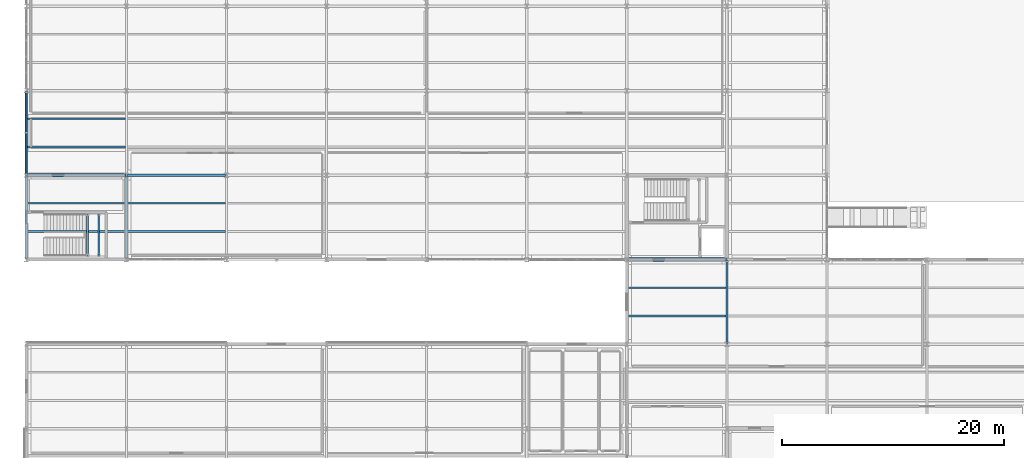
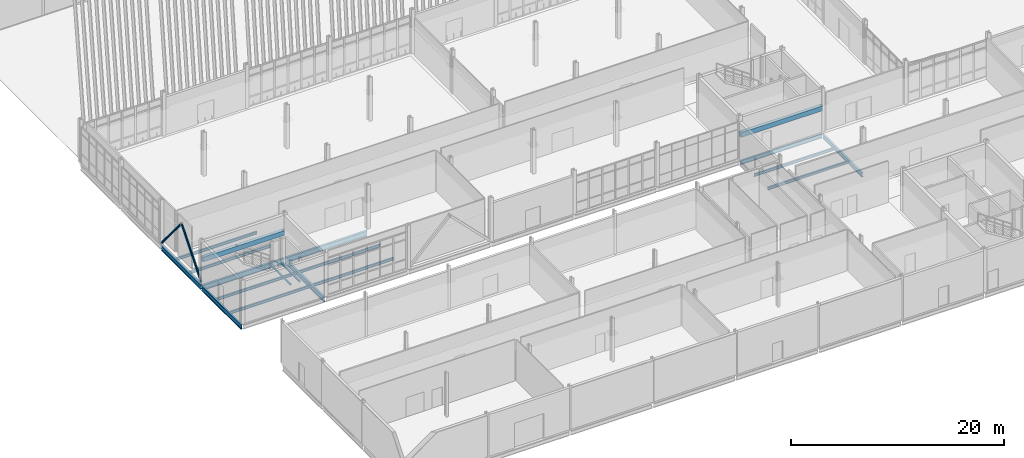
# One storey, part 39 of 161: 19 beams, 2 members.
"""IFC4 building model written with IfcOpenShell, lengths in metres."""

from ifc_helpers import new_model, si_unit, direction, frame, origin, origin_2d, place, context, subcontext, project, spatial, rectangle, hollow_circle, i_section, extrude, material, material_profile, profile_set, type_object, element, save


model = new_model("IFC4")

# Units and contexts
model_context = context("Model", 3, precision=1e-05, world=origin(), true_north=direction((0.0, 1.0)))
body_context = subcontext(model_context, "Body", "Model", "MODEL_VIEW")
ifc_project = project(units=[si_unit("LENGTHUNIT", "METRE"), si_unit("AREAUNIT", "SQUARE_METRE"), si_unit("VOLUMEUNIT", "CUBIC_METRE"), si_unit("PLANEANGLEUNIT", "RADIAN"), si_unit("MASSUNIT", "GRAM", prefix="KILO")], contexts=[model_context])

# Site, building, storey
site_placement = place(None, origin())
site = spatial("IfcSite", under=ifc_project, at=site_placement, CompositionType="ELEMENT")
building_placement = place(site_placement, origin())
building = spatial("IfcBuilding", under=site, at=building_placement, Name="Caisbarro Railhouse Central Library", CompositionType="ELEMENT")
storey_placement = place(building_placement, origin())
storey = spatial("IfcBuildingStorey", under=building, at=storey_placement, Name="L00", CompositionType="ELEMENT", Elevation=0.0)

# Beams
ifc_material_1 = material(Name="Steel ASTM A572 Grade 50", Category="steel")
ifc_material_profile_1 = material_profile(ifc_material_1, i_section(OverallWidth=0.22802734375, OverallDepth=0.60791015625, WebThickness=0.01123046875, FlangeThickness=0.017333984375, FilletRadius=0.02197265625, at=origin_2d()), Name="W610X113.0")
ifc_profile_set_1 = profile_set([ifc_material_profile_1], Name="Steel ASTM A572 Grade 50")
beam_type_1 = type_object("IfcBeamType", Name="BM-G04", PredefinedType="BEAM", material=ifc_profile_set_1)
for number, where, z_axis, x_axis, name in (
    (1, (0.080078125, 38.0, -0.553955078125), (1.0, 0.0, 0.0), (0.0, 1.0, 0.0), "G04 beam L00 #251"),
    (2, (9.080078125, 38.0, -0.553955078125), (1.0, 0.0, 0.0), (0.0, 1.0, 0.0), "G04 beam L00 #252"),
):
    element("IfcBeam", number, at=place(storey_placement, frame(where, z_axis=z_axis, x_axis=x_axis)), inside=storey, type_object=beam_type_1, Name=name, PredefinedType="BEAM", context=body_context, shape_type="SweptSolid", body=[
        extrude(i_section(OverallWidth=0.22802734375, OverallDepth=0.60791015625, WebThickness=0.01123046875, FlangeThickness=0.017333984375, FilletRadius=0.02197265625, at=origin_2d()), origin(), (0.0, 0.0, 1.0), 8.83984375),
    ])
ifc_material_profile_2 = material_profile(ifc_material_1, i_section(OverallWidth=0.208984375, OverallDepth=0.532958984375, WebThickness=0.01025390625, FlangeThickness=0.015625, FilletRadius=0.02001953125, at=origin_2d()), Name="W530X92.0")
ifc_profile_set_2 = profile_set([ifc_material_profile_2], Name="Steel ASTM A572 Grade 50")
beam_type_2 = type_object("IfcBeamType", Name="BM-G06", PredefinedType="BEAM", material=ifc_profile_set_2)
for number, where, z_axis, x_axis, name in (
    (3, (0.0, 30.47998046875, -0.5166015625), (0.0, 1.0, 0.0), (-1.0, 0.0, 0.0), "G06 beam L00 #283"),
    (4, (0.0, 38.080078125, -0.5166015625), (0.0, 1.0, 0.0), (-1.0, 0.0, 0.0), "G06 beam L00 #284"),
    (5, (9.0, 30.47998046875, -0.5166015625), (0.0, 1.0, 0.0), (-1.0, 0.0, 0.0), "G06 beam L00 #287"),
):
    element("IfcBeam", number, at=place(storey_placement, frame(where, z_axis=z_axis, x_axis=x_axis)), inside=storey, type_object=beam_type_2, Name=name, PredefinedType="BEAM", context=body_context, shape_type="SweptSolid", body=[
        extrude(i_section(OverallWidth=0.208984375, OverallDepth=0.532958984375, WebThickness=0.01025390625, FlangeThickness=0.015625, FilletRadius=0.02001953125, at=origin_2d()), origin(), (0.0, 0.0, 1.0), 7.43994140625),
    ])
ifc_material_profile_3 = material_profile(ifc_material_1, i_section(OverallWidth=0.194091796875, OverallDepth=0.468994140625, WebThickness=0.0126953125, FlangeThickness=0.0205078125, FilletRadius=0.01806640625, at=origin_2d()), Name="W460X106.0")
ifc_profile_set_3 = profile_set([ifc_material_profile_3], Name="Steel ASTM A572 Grade 50")
beam_type_3 = type_object("IfcBeamType", Name="BM-G07", PredefinedType="BEAM", material=ifc_profile_set_3)
beam_1_placement = place(storey_placement, frame((63.0, 22.8798828125, -0.514404296875), z_axis=(0.0, 1.0, 0.0), x_axis=(-1.0, 0.0, 0.0)))
element("IfcBeam", 6, at=beam_1_placement, inside=storey, type_object=beam_type_3, Name="G07 beam L00 #184", PredefinedType="BEAM", context=body_context, shape_type="SweptSolid", body=[
    extrude(i_section(OverallWidth=0.194091796875, OverallDepth=0.468994140625, WebThickness=0.0126953125, FlangeThickness=0.0205078125, FilletRadius=0.01806640625, at=origin_2d()), origin(), (0.0, 0.0, 1.0), 7.440185546875),
])
ifc_material_profile_4 = material_profile(ifc_material_1, i_section(OverallWidth=0.1669921875, OverallDepth=0.31689453125, WebThickness=0.007568359375, FlangeThickness=0.01318359375, FilletRadius=0.011962890625, at=origin_2d()), Name="W310X52.0")
ifc_profile_set_4 = profile_set([ifc_material_profile_4], Name="Steel ASTM A572 Grade 50")
beam_type_4 = type_object("IfcBeamType", Name="BM-J02", PredefinedType="JOIST", material=ifc_profile_set_4)
for number, where, z_axis, x_axis, name in (
    (7, (54.096923828125, 25.333251953125, -0.4384765625), (1.0, 0.0, 0.0), (0.0, 1.0, 0.0), "J02 beam L00 #211"),
    (8, (54.096923828125, 27.86669921875, -0.4384765625), (1.0, 0.0, 0.0), (0.0, 1.0, 0.0), "J02 beam L00 #212"),
):
    element("IfcBeam", number, at=place(storey_placement, frame(where, z_axis=z_axis, x_axis=x_axis)), inside=storey, type_object=beam_type_4, Name=name, PredefinedType="JOIST", context=body_context, shape_type="SweptSolid", body=[
        extrude(i_section(OverallWidth=0.1669921875, OverallDepth=0.31689453125, WebThickness=0.007568359375, FlangeThickness=0.01318359375, FilletRadius=0.011962890625, at=origin_2d()), origin(), (0.0, 0.0, 1.0), 8.80615234375),
    ])
ifc_material_profile_5 = material_profile(ifc_material_1, i_section(OverallWidth=0.1650390625, OverallDepth=0.31005859375, WebThickness=0.005859375, FlangeThickness=0.009765625, FilletRadius=0.011962890625, at=origin_2d()), Name="W310X38.7")
ifc_profile_set_5 = profile_set([ifc_material_profile_5], Name="Steel ASTM A572 Grade 50")
beam_type_5 = type_object("IfcBeamType", Name="BM-J03", PredefinedType="JOIST", material=ifc_profile_set_5)
for number, where, z_axis, x_axis, name in (
    (9, (0.1044921875, 32.933349609375, -0.405029296875), (1.0, 0.0, 0.0), (0.0, 1.0, 0.0), "J03 beam L00 #319"),
    (10, (0.1044921875, 35.466796875, -0.405029296875), (1.0, 0.0, 0.0), (0.0, 1.0, 0.0), "J03 beam L00 #320"),
    (11, (0.1044921875, 40.533203125, -0.405029296875), (1.0, 0.0, 0.0), (0.0, 1.0, 0.0), "J03 beam L00 #321"),
    (12, (0.1044921875, 43.066650390625, -0.405029296875), (1.0, 0.0, 0.0), (0.0, 1.0, 0.0), "J03 beam L00 #322"),
    (13, (9.1044921875, 32.933349609375, -0.405029296875), (1.0, 0.0, 0.0), (0.0, 1.0, 0.0), "J03 beam L00 #327"),
    (14, (9.1044921875, 35.466796875, -0.405029296875), (1.0, 0.0, 0.0), (0.0, 1.0, 0.0), "J03 beam L00 #328"),
):
    element("IfcBeam", number, at=place(storey_placement, frame(where, z_axis=z_axis, x_axis=x_axis)), inside=storey, type_object=beam_type_5, Name=name, PredefinedType="JOIST", context=body_context, shape_type="SweptSolid", body=[
        extrude(i_section(OverallWidth=0.1650390625, OverallDepth=0.31005859375, WebThickness=0.005859375, FlangeThickness=0.009765625, FilletRadius=0.011962890625, at=origin_2d()), origin(), (0.0, 0.0, 1.0), 8.791015625),
    ])
ifc_material_2 = material(Name="Concrete C40", Category="concrete")
ifc_material_profile_6 = material_profile(ifc_material_2, rectangle(XDim=0.35009765625, YDim=0.550048828125, at=origin_2d()), Name="RC-LIN-350X550")
ifc_profile_set_6 = profile_set([ifc_material_profile_6], Name="Concrete C40")
beam_type_6 = type_object("IfcBeamType", Name="BM-LN00", PredefinedType="LINTEL", material=ifc_profile_set_6)
for number, where, z_axis, x_axis, name in (
    (15, (54.050048828125, 30.39990234375, 2.72509765625), (1.0, 0.0, 0.0), (0.0, 1.0, 0.0), "LN00 RC core coupling lintel K4 L00"),
    (16, (0.050048828125, 38.0, 2.72509765625), (1.0, 0.0, 0.0), (0.0, 1.0, 0.0), "LN00 RC core coupling lintel K6 L00"),
):
    element("IfcBeam", number, at=place(storey_placement, frame(where, z_axis=z_axis, x_axis=x_axis)), inside=storey, type_object=beam_type_6, Name=name, PredefinedType="LINTEL", context=body_context, shape_type="SweptSolid", body=[
        extrude(rectangle(XDim=0.35009765625, YDim=0.550048828125, at=origin_2d()), origin(), (0.0, 0.0, 1.0), 8.89990234375),
    ])
ifc_material_profile_7 = material_profile(ifc_material_1, i_section(OverallWidth=0.152099609375, OverallDepth=0.152099609375, WebThickness=0.005859375, FlangeThickness=0.006591796875, FilletRadius=0.008056640625, at=origin_2d()), Name="W150X22.5")
ifc_profile_set_7 = profile_set([ifc_material_profile_7], Name="Steel ASTM A572 Grade 50")
beam_type_7 = type_object("IfcBeamType", Name="BM-SL00", PredefinedType="BEAM", material=ifc_profile_set_7)
for number, where, z_axis, x_axis, name in (
    (17, (5.5, 30.780029296875, 2.25390625), (0.0, 1.0, 0.0), (-1.0, 0.0, 0.0), "SL00 Stair Landing Support Beam K6 L00 W"),
    (18, (6.5, 30.780029296875, 2.25390625), (0.0, 1.0, 0.0), (-1.0, 0.0, 0.0), "SL00 Stair Landing Support Beam K6 L00 E"),
):
    element("IfcBeam", number, at=place(storey_placement, frame(where, z_axis=z_axis, x_axis=x_axis)), inside=storey, type_object=beam_type_7, Name=name, PredefinedType="BEAM", context=body_context, shape_type="SweptSolid", body=[
        extrude(i_section(OverallWidth=0.152099609375, OverallDepth=0.152099609375, WebThickness=0.005859375, FlangeThickness=0.006591796875, FilletRadius=0.008056640625, at=origin_2d()), origin(), (0.0, 0.0, 1.0), 3.68994140625),
    ])
ifc_material_profile_8 = material_profile(ifc_material_1, i_section(OverallWidth=0.18994140625, OverallDepth=0.45703125, WebThickness=0.009033203125, FlangeThickness=0.014404296875, FilletRadius=0.01806640625, at=origin_2d()), Name="W460X74.0")
ifc_profile_set_8 = profile_set([ifc_material_profile_8], Name="Steel ASTM A572 Grade 50")
beam_type_8 = type_object("IfcBeamType", Name="BM-SP01", PredefinedType="SPANDREL", material=ifc_profile_set_8)
beam_2_placement = place(storey_placement, frame((54.080078125, 30.39990234375, -0.508544921875), z_axis=(1.0, 0.0, 0.0), x_axis=(0.0, 1.0, 0.0)))
element("IfcBeam", 19, at=beam_2_placement, inside=storey, type_object=beam_type_8, Name="SP01 beam L00 #174", PredefinedType="SPANDREL", context=body_context, shape_type="SweptSolid", body=[
    extrude(i_section(OverallWidth=0.18994140625, OverallDepth=0.45703125, WebThickness=0.009033203125, FlangeThickness=0.014404296875, FilletRadius=0.01806640625, at=origin_2d()), origin(), (0.0, 0.0, 1.0), 8.83984375),
])

# Members
ifc_material_profile_9 = material_profile(ifc_material_1, hollow_circle(Radius=0.109619140625, WallThickness=0.010009765625, at=origin_2d()), Name="CHS219.1X10")
ifc_profile_set_9 = profile_set([ifc_material_profile_9], Name="Steel ASTM A572 Grade 50")
member_type = type_object("IfcMemberType", Name="MEM-BR03", PredefinedType="BRACE", material=ifc_profile_set_9)
for number, where, z_axis, x_axis, name in (
    (20, (0.0, 38.06005859375, 0.02001953125), (0.0, 0.640184399664, 0.768221279597), (-1.0, 0.0, 0.0), "BR03 chevron brace X0-M L00.1"),
    (21, (0.0, 45.5400390625, 0.02001953125), (0.0, -0.640184399664, 0.768221279597), (1.0, 0.0, 0.0), "BR03 chevron brace X0-M L00.2"),
):
    element("IfcMember", number, at=place(storey_placement, frame(where, z_axis=z_axis, x_axis=x_axis)), inside=storey, type_object=member_type, Name=name, PredefinedType="BRACE", context=body_context, shape_type="SweptSolid", body=[
        extrude(hollow_circle(Radius=0.109619140625, WallThickness=0.010009765625, at=origin_2d()), origin(), (0.0, 0.0, 1.0), 5.779541015625),
    ])

save(model, "model.ifc")
